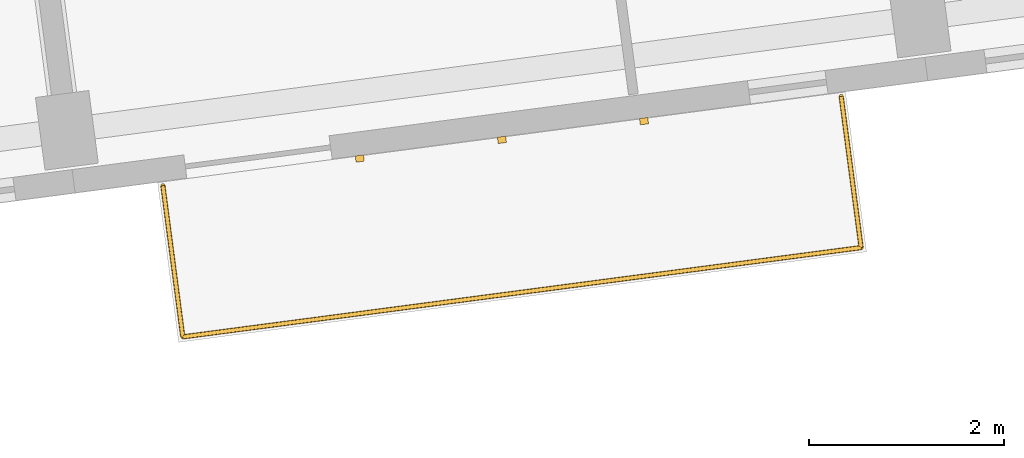
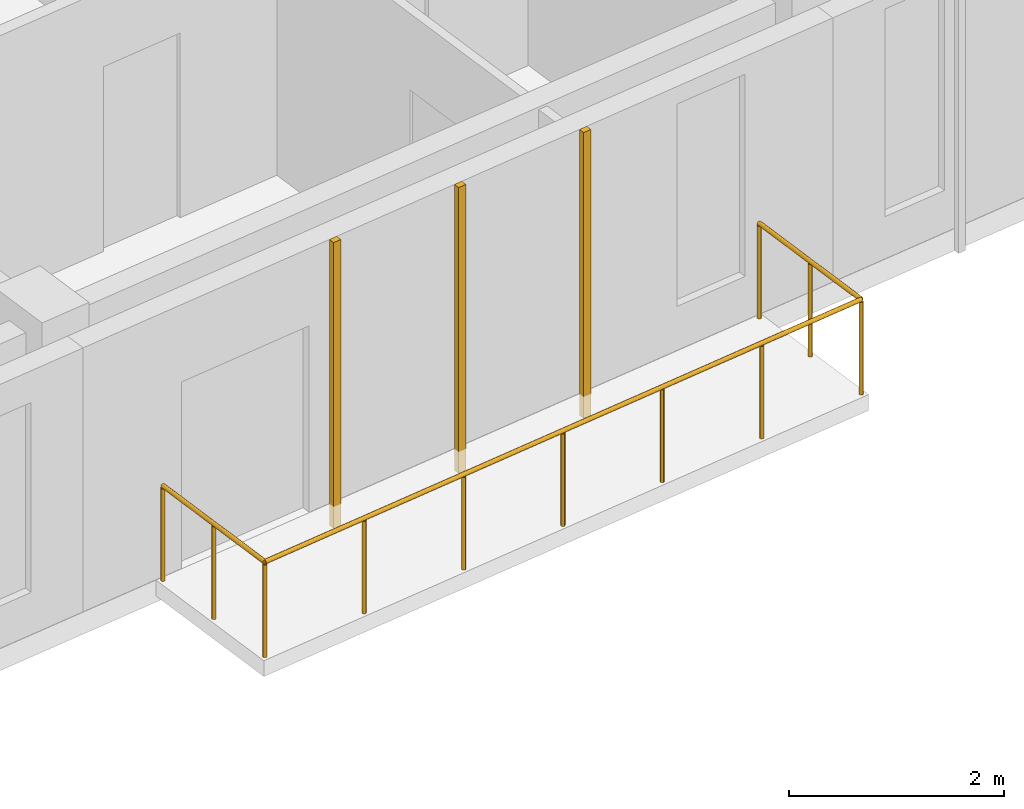
# One storey, part 41 of 65: 3 coverings, 1 railing.
"""IFC4 building model written with IfcOpenShell, lengths in metres."""

import ifcopenshell
import ifcopenshell.guid

model = None  # the IFC model being written
_history = None  # IfcOwnerHistory: only IFC2X3 demands one
_inside = {}  # id of a spatial element -> (the spatial element, [elements in it])
_under = {}  # id of a project, library or spatial element -> (it, [spatial elements below it])
_declared = {}  # id of a project -> (the project, [libraries it declares])
_typed = {}  # id of a type object -> (the type object, [elements of that type])
_made_of = {}  # id of a material, layer set ... -> (it, [elements and type objects made of it])


def new_model(schema):
    """Start an empty IFC model of exactly this schema.

    Asked for "IFC4X3", IfcOpenShell would pick the latest addendum, in which some entities
    have other attributes; the version numbers below select the first issue.
    IFC2X3 requires an IfcOwnerHistory on every rooted entity: one is made here for all.
    """
    global model, _history
    if schema == "IFC4X3":
        model = ifcopenshell.file(schema_version=(4, 3, 0, 0))
    else:
        model = ifcopenshell.file(schema=schema)
    _inside.clear()
    _under.clear()
    _declared.clear()
    _typed.clear()
    _made_of.clear()
    _history = None
    if model.schema == "IFC2X3":
        org = make("IfcOrganization", Name="unknown")
        user = make(
            "IfcPersonAndOrganization",
            ThePerson=make("IfcPerson", FamilyName="unknown"),
            TheOrganization=org,
        )
        app = make(
            "IfcApplication",
            ApplicationDeveloper=org,
            Version="unknown",
            ApplicationFullName="unknown",
            ApplicationIdentifier="unknown",
        )
        _history = make(
            "IfcOwnerHistory",
            OwningUser=user,
            OwningApplication=app,
            ChangeAction="ADDED",
            CreationDate=0,
        )
    return model


def make(cls, **values):
    """One entity of the class cls with the attributes given. An attribute that is None is left unset."""
    return model.create_entity(
        cls, **{name: value for name, value in values.items() if value is not None}
    )


def rooted(cls, **values):
    """An entity with a GlobalId (a new one), such as an element, a storey or a relation."""
    return make(cls, GlobalId=ifcopenshell.guid.new(), OwnerHistory=_history, **values)


def si_unit(unit_type, name, prefix=None):
    """IfcSIUnit, for example si_unit("LENGTHUNIT", "METRE", prefix="MILLI")."""
    return make("IfcSIUnit", UnitType=unit_type, Prefix=prefix, Name=name)


def assignment(units):
    """IfcUnitAssignment: the units of a project."""
    return None if units is None else make("IfcUnitAssignment", Units=units)


def point(xyz):
    """IfcCartesianPoint."""
    return None if xyz is None else make("IfcCartesianPoint", Coordinates=xyz)


def direction(xyz):
    """IfcDirection."""
    return None if xyz is None else make("IfcDirection", DirectionRatios=xyz)


def frame(location, z_axis=None, x_axis=None):
    """IfcAxis2Placement3D, a coordinate frame: its origin and axes. An axis left out is left unset."""
    return make(
        "IfcAxis2Placement3D",
        Location=point(location),
        Axis=direction(z_axis),
        RefDirection=direction(x_axis),
    )


def frame_2d(location, x_axis=None):
    """IfcAxis2Placement2D, a coordinate frame in the plane: its origin and x axis."""
    return make(
        "IfcAxis2Placement2D", Location=point(location), RefDirection=direction(x_axis)
    )


def origin():
    """The frame at (0, 0, 0) with its axes left unset."""
    return frame((0.0, 0.0, 0.0))


def origin_2d():
    """The frame at (0, 0) in the plane with its x axis left unset."""
    return frame_2d((0.0, 0.0))


def place(relative_to, where):
    """IfcLocalPlacement: puts the frame where relative to a parent placement (None: the world)."""
    return make(
        "IfcLocalPlacement", PlacementRelTo=relative_to, RelativePlacement=where
    )


def context(
    kind, dimensions, precision=None, world=None, true_north=None, identifier=None
):
    """IfcGeometricRepresentationContext, for example the 3D "Model" context."""
    return make(
        "IfcGeometricRepresentationContext",
        ContextIdentifier=identifier,
        ContextType=kind,
        CoordinateSpaceDimension=dimensions,
        Precision=precision,
        WorldCoordinateSystem=world,
        TrueNorth=true_north,
    )


def subcontext(parent, identifier, kind, view, scale=None):
    """IfcGeometricRepresentationSubContext, for example "Body" below "Model"."""
    return make(
        "IfcGeometricRepresentationSubContext",
        ContextIdentifier=identifier,
        ContextType=kind,
        ParentContext=parent,
        TargetScale=scale,
        TargetView=view,
    )


def project(units=None, contexts=None):
    """IfcProject with its units and contexts."""
    return rooted(
        "IfcProject",
        Name="project",
        RepresentationContexts=contexts,
        UnitsInContext=assignment(units),
    )


def spatial(cls, under=None, at=None, **own):
    """A site, building, storey or space (cls), placed at a placement, below another one or the project."""
    s = rooted(cls, ObjectPlacement=at, **own)
    if under is not None:
        _under.setdefault(under.id(), (under, []))[1].append(s)
    return s


def profile(cls, at=None, kind="AREA", **sizes):
    """A parametric profile (cls). Its sizes go by their IFC names, for example OverallWidth=200.0."""
    return make(cls, ProfileType=kind, Position=at, **sizes)


def rectangle(**sizes):
    """IfcRectangleProfileDef."""
    return profile("IfcRectangleProfileDef", **sizes)


def circle(**sizes):
    """IfcCircleProfileDef."""
    return profile("IfcCircleProfileDef", **sizes)


def extrude(swept, where, along, depth):
    """IfcExtrudedAreaSolid: the profile swept, set in the frame where, extruded along a direction by depth."""
    return make(
        "IfcExtrudedAreaSolid",
        SweptArea=swept,
        Position=where,
        ExtrudedDirection=direction(along),
        Depth=depth,
    )


def shape(context_of_items, identifier, shape_type, items):
    """IfcShapeRepresentation: the items that make up one representation, for example the "Body"."""
    return make(
        "IfcShapeRepresentation",
        ContextOfItems=context_of_items,
        RepresentationIdentifier=identifier,
        RepresentationType=shape_type,
        Items=items,
    )


def material(Name=None, Category=None):
    """IfcMaterial."""
    return make("IfcMaterial", Name=Name, Category=Category)


def layer(
    of_material, thickness, ventilated=None, Name=None, Category=None, Priority=None
):
    """IfcMaterialLayer: one layer of a wall or slab, of a material (None: an air gap)."""
    return make(
        "IfcMaterialLayer",
        Material=of_material,
        LayerThickness=thickness,
        IsVentilated=ventilated,
        Name=Name,
        Category=Category,
        Priority=Priority,
    )


def layer_set(layers, Name=None):
    """IfcMaterialLayerSet."""
    return make("IfcMaterialLayerSet", MaterialLayers=layers, LayerSetName=Name)


def made_of(thing, what):
    """Note that an element or type object is made of a material, layer set ...; save() writes the relation."""
    if what is not None:
        _made_of.setdefault(what.id(), (what, []))[1].append(thing)
    return thing


def type_object(cls, material=None, **own):
    """A type object (cls), such as IfcWallType, which elements share."""
    return made_of(rooted(cls, **own), material)


def element(
    cls,
    number,
    at=None,
    inside=None,
    cuts=None,
    type_object=None,
    material=None,
    context=None,
    identifier="Body",
    shape_type=None,
    held_by="IfcProductDefinitionShape",
    body=None,
    shapes=None,
    **own,
):
    """One element of the class cls, such as IfcWall. Its Tag is "e" and its number.

    at: its placement. inside: the storey or other place that contains it. cuts: it is an
    opening in that element (IfcRelVoidsElement). A single representation is given by context,
    identifier, shape_type and body (its items); several are given by shapes. held_by: the class
    of the entity that holds the representations. save() writes the other relations.
    """
    e = rooted(cls, Tag="e%d" % number, ObjectPlacement=at, **own)
    if body is not None:
        shapes = [shape(context, identifier, shape_type, body)]
    if shapes is not None:
        e.Representation = make(held_by, Representations=shapes)
    if inside is not None:
        _inside.setdefault(inside.id(), (inside, []))[1].append(e)
    if cuts is not None:
        rooted(
            "IfcRelVoidsElement", RelatingBuildingElement=cuts, RelatedOpeningElement=e
        )
    if type_object is not None:
        _typed.setdefault(type_object.id(), (type_object, []))[1].append(e)
    return made_of(e, material)


def aggregate(whole, parts):
    """IfcRelAggregates: a whole, such as a stair, and the parts it consists of."""
    return rooted("IfcRelAggregates", RelatingObject=whole, RelatedObjects=parts)


def save(model, path):
    """Write the relations noted so far, then the file.

    IfcRelAggregates (storeys below a building ...), IfcRelContainedInSpatialStructure (elements
    in a storey), IfcRelDefinesByType, IfcRelAssociatesMaterial and IfcRelDeclares: one each for
    every whole, place, type object, material and project.
    """
    for whole, parts in _under.values():
        aggregate(whole, parts)
    for where, things in _inside.values():
        rooted(
            "IfcRelContainedInSpatialStructure",
            RelatedElements=things,
            RelatingStructure=where,
        )
    for kind, things in _typed.values():
        rooted("IfcRelDefinesByType", RelatedObjects=things, RelatingType=kind)
    for what, things in _made_of.values():
        rooted("IfcRelAssociatesMaterial", RelatedObjects=things, RelatingMaterial=what)
    for by, libraries in _declared.values():
        rooted("IfcRelDeclares", RelatingContext=by, RelatedDefinitions=libraries)
    model.write(path)


model = new_model("IFC4")

# Units and contexts
model_context = context("Model", 3, precision=1e-05, world=origin(), true_north=direction((0.0, 1.0)))
body_context = subcontext(model_context, "Body", "Model", "MODEL_VIEW")
ifc_project = project(units=[si_unit("LENGTHUNIT", "METRE"), si_unit("AREAUNIT", "SQUARE_METRE"), si_unit("VOLUMEUNIT", "CUBIC_METRE"), si_unit("PLANEANGLEUNIT", "RADIAN"), si_unit("MASSUNIT", "GRAM", prefix="KILO")], contexts=[model_context])

# Site, building, storey
site_placement = place(None, origin())
site = spatial("IfcSite", under=ifc_project, at=site_placement, CompositionType="ELEMENT")
building_placement = place(site_placement, origin())
building = spatial("IfcBuilding", under=site, at=building_placement, Name="Kestramere Prow Commons", CompositionType="ELEMENT")
storey_placement = place(building_placement, frame((0.0, 0.0, 21.39990234375)))
storey = spatial("IfcBuildingStorey", under=building, at=storey_placement, Name="L06", CompositionType="ELEMENT", Elevation=21.39990234375)

# Coverings
ifc_material_1 = material(Name="Weathered Zinc-Titanium Standing-Seam Cladding")
ifc_layer = layer(ifc_material_1, 0.074951171875)
ifc_layer_set = layer_set([ifc_layer], Name="Weathered Zinc-Titanium Standing-Seam Cladding")
covering_type = type_object("IfcCoveringType", Name="COV-CLAD-SEAM", PredefinedType="CLADDING", material=ifc_layer_set)
for number, where, z_axis, x_axis, name in (
    (1, (34.554443359375, 74.391357421875, -0.25), (0.0, 0.0, 1.0), (-0.991444861374, -0.13052619222, 0.0), "EW-A-L06-S-2 Standing-Seam Rib 2"),
    (2, (33.100341796875, 74.199951171875, -0.25), (0.0, 0.0, 1.0), (-0.991444861374, -0.13052619222, 0.0), "EW-A-L06-S-2 Standing-Seam Rib 3"),
    (3, (31.64599609375, 74.008544921875, -0.25), (0.0, 0.0, 1.0), (-0.991444861374, -0.13052619222, 0.0), "EW-A-L06-S-2 Standing-Seam Rib 4"),
):
    element("IfcCovering", number, at=place(storey_placement, frame(where, z_axis=z_axis, x_axis=x_axis)), inside=storey, type_object=covering_type, Name=name, PredefinedType="CLADDING", context=body_context, shape_type="SweptSolid", body=[
        extrude(rectangle(XDim=0.0849609375, YDim=0.06494140625, at=origin_2d()), origin(), (0.0, 0.0, 1.0), 3.25),
    ])

# Railing
ifc_material_2 = material(Name="Powder-Coated Aluminium 6063-T6", Category="aluminium")
railing_type = type_object("IfcRailingType", Name="GRD-BALC-1100", PredefinedType="BALUSTRADE", material=ifc_material_2)
railing_placement = place(storey_placement, frame((29.6318359375, 73.730712890625, 0.0)))
element("IfcRailing", 4, at=railing_placement, inside=storey, type_object=railing_type, Name="Block A L06 Balcony Guardrail 3", PredefinedType="BALUSTRADE", context=body_context, shape_type="SweptSolid", body=[
    extrude(circle(Radius=0.02392578125, at=origin_2d()), frame((0.0, 0.0, 1.076171875), z_axis=(0.130523335136, -0.991445237512, 0.0), x_axis=(0.991445237512, 0.130523335136, 0.0)), (0.0, 0.0, 1.0), 1.56005859375),
    extrude(circle(Radius=0.02392578125, at=origin_2d()), frame((0.20361328125, -1.546630859375, 1.076171875), z_axis=(0.991447052715, 0.13050954625, 0.0), x_axis=(-0.13050954625, 0.991447052715, 0.0)), (0.0, 0.0, 1.0), 7.0),
    extrude(circle(Radius=0.02392578125, at=origin_2d()), frame((7.143798828125, -0.633056640625, 1.076171875), z_axis=(-0.130523335136, 0.991445237512, 0.0), x_axis=(-0.991445237512, -0.130523335136, 0.0)), (0.0, 0.0, 1.0), 1.56005859375),
    extrude(circle(Radius=0.02099609375, at=origin_2d()), origin(), (0.0, 0.0, 1.0), 1.052001953125),
    extrude(circle(Radius=0.02099609375, at=origin_2d()), frame((0.101806640625, -0.7734375, 0.0)), (0.0, 0.0, 1.0), 1.052001953125),
    extrude(circle(Radius=0.02099609375, at=origin_2d()), frame((0.20361328125, -1.546630859375, 0.0)), (0.0, 0.0, 1.0), 1.052001953125),
    extrude(circle(Radius=0.02099609375, at=origin_2d()), frame((1.3603515625, -1.394287109375, 0.0)), (0.0, 0.0, 1.0), 1.052001953125),
    extrude(circle(Radius=0.02099609375, at=origin_2d()), frame((2.51708984375, -1.2421875, 0.0)), (0.0, 0.0, 1.0), 1.052001953125),
    extrude(circle(Radius=0.02099609375, at=origin_2d()), frame((3.673828125, -1.08984375, 0.0)), (0.0, 0.0, 1.0), 1.052001953125),
    extrude(circle(Radius=0.02099609375, at=origin_2d()), frame((4.830322265625, -0.9375, 0.0)), (0.0, 0.0, 1.0), 1.052001953125),
    extrude(circle(Radius=0.02099609375, at=origin_2d()), frame((5.987060546875, -0.785400390625, 0.0)), (0.0, 0.0, 1.0), 1.052001953125),
    extrude(circle(Radius=0.02099609375, at=origin_2d()), frame((7.143798828125, -0.633056640625, 0.0)), (0.0, 0.0, 1.0), 1.052001953125),
    extrude(circle(Radius=0.02099609375, at=origin_2d()), frame((7.0419921875, 0.14013671875, 0.0)), (0.0, 0.0, 1.0), 1.052001953125),
    extrude(circle(Radius=0.02099609375, at=origin_2d()), frame((6.940185546875, 0.91357421875, 0.0)), (0.0, 0.0, 1.0), 1.052001953125),
])

save(model, "model.ifc")
